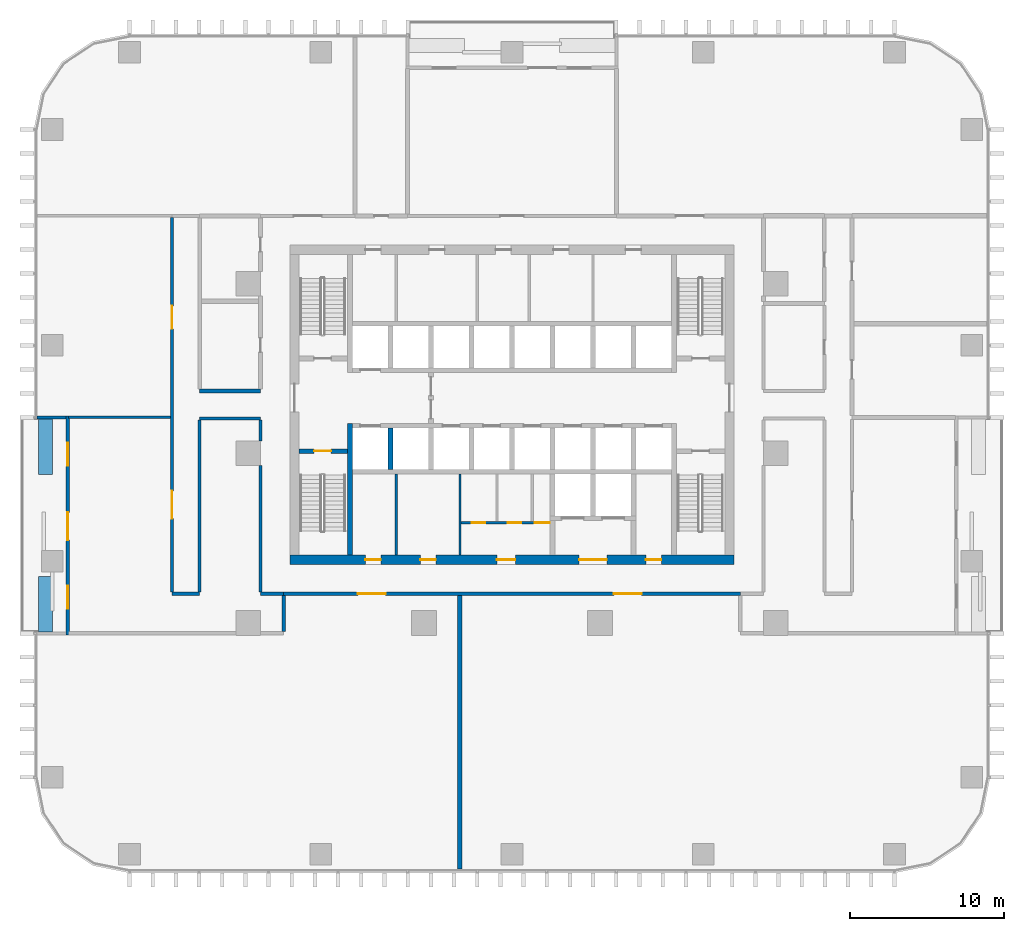
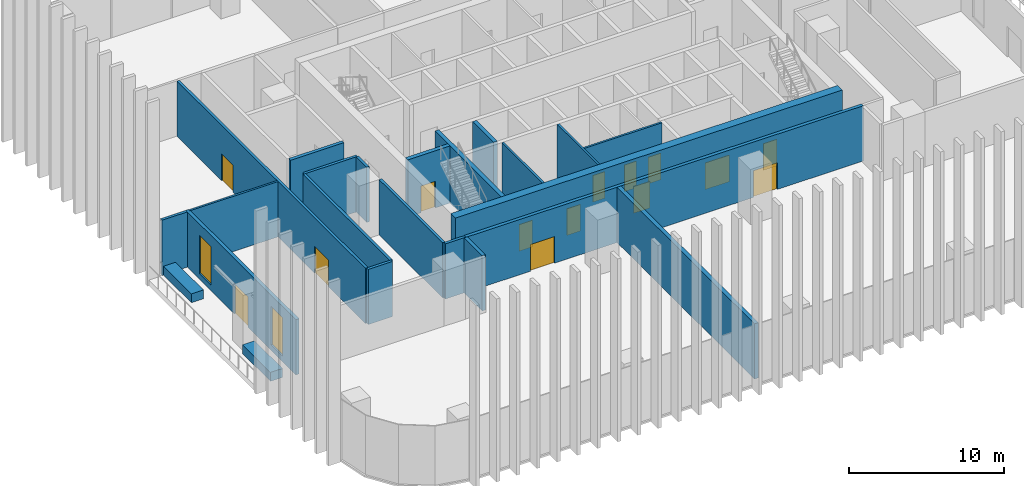
# One storey, part 7 of 17: 23 walls, 14 doors, 2 windows, 16 openings.
"""IFC4 building model written with IfcOpenShell, lengths in metres."""

import ifcopenshell
import ifcopenshell.guid

model = None  # the IFC model being written
_history = None  # IfcOwnerHistory: only IFC2X3 demands one
_inside = {}  # id of a spatial element -> (the spatial element, [elements in it])
_under = {}  # id of a project, library or spatial element -> (it, [spatial elements below it])
_declared = {}  # id of a project -> (the project, [libraries it declares])
_typed = {}  # id of a type object -> (the type object, [elements of that type])
_made_of = {}  # id of a material, layer set ... -> (it, [elements and type objects made of it])


def new_model(schema):
    """Start an empty IFC model of exactly this schema.

    Asked for "IFC4X3", IfcOpenShell would pick the latest addendum, in which some entities
    have other attributes; the version numbers below select the first issue.
    IFC2X3 requires an IfcOwnerHistory on every rooted entity: one is made here for all.
    """
    global model, _history
    if schema == "IFC4X3":
        model = ifcopenshell.file(schema_version=(4, 3, 0, 0))
    else:
        model = ifcopenshell.file(schema=schema)
    _inside.clear()
    _under.clear()
    _declared.clear()
    _typed.clear()
    _made_of.clear()
    _history = None
    if model.schema == "IFC2X3":
        org = make("IfcOrganization", Name="unknown")
        user = make(
            "IfcPersonAndOrganization",
            ThePerson=make("IfcPerson", FamilyName="unknown"),
            TheOrganization=org,
        )
        app = make(
            "IfcApplication",
            ApplicationDeveloper=org,
            Version="unknown",
            ApplicationFullName="unknown",
            ApplicationIdentifier="unknown",
        )
        _history = make(
            "IfcOwnerHistory",
            OwningUser=user,
            OwningApplication=app,
            ChangeAction="ADDED",
            CreationDate=0,
        )
    return model


def make(cls, **values):
    """One entity of the class cls with the attributes given. An attribute that is None is left unset."""
    return model.create_entity(
        cls, **{name: value for name, value in values.items() if value is not None}
    )


def rooted(cls, **values):
    """An entity with a GlobalId (a new one), such as an element, a storey or a relation."""
    return make(cls, GlobalId=ifcopenshell.guid.new(), OwnerHistory=_history, **values)


def si_unit(unit_type, name, prefix=None):
    """IfcSIUnit, for example si_unit("LENGTHUNIT", "METRE", prefix="MILLI")."""
    return make("IfcSIUnit", UnitType=unit_type, Prefix=prefix, Name=name)


def assignment(units):
    """IfcUnitAssignment: the units of a project."""
    return None if units is None else make("IfcUnitAssignment", Units=units)


def point(xyz):
    """IfcCartesianPoint."""
    return None if xyz is None else make("IfcCartesianPoint", Coordinates=xyz)


def direction(xyz):
    """IfcDirection."""
    return None if xyz is None else make("IfcDirection", DirectionRatios=xyz)


def frame(location, z_axis=None, x_axis=None):
    """IfcAxis2Placement3D, a coordinate frame: its origin and axes. An axis left out is left unset."""
    return make(
        "IfcAxis2Placement3D",
        Location=point(location),
        Axis=direction(z_axis),
        RefDirection=direction(x_axis),
    )


def frame_2d(location, x_axis=None):
    """IfcAxis2Placement2D, a coordinate frame in the plane: its origin and x axis."""
    return make(
        "IfcAxis2Placement2D", Location=point(location), RefDirection=direction(x_axis)
    )


def origin():
    """The frame at (0, 0, 0) with its axes left unset."""
    return frame((0.0, 0.0, 0.0))


def place(relative_to, where):
    """IfcLocalPlacement: puts the frame where relative to a parent placement (None: the world)."""
    return make(
        "IfcLocalPlacement", PlacementRelTo=relative_to, RelativePlacement=where
    )


def context(
    kind, dimensions, precision=None, world=None, true_north=None, identifier=None
):
    """IfcGeometricRepresentationContext, for example the 3D "Model" context."""
    return make(
        "IfcGeometricRepresentationContext",
        ContextIdentifier=identifier,
        ContextType=kind,
        CoordinateSpaceDimension=dimensions,
        Precision=precision,
        WorldCoordinateSystem=world,
        TrueNorth=true_north,
    )


def subcontext(parent, identifier, kind, view, scale=None):
    """IfcGeometricRepresentationSubContext, for example "Body" below "Model"."""
    return make(
        "IfcGeometricRepresentationSubContext",
        ContextIdentifier=identifier,
        ContextType=kind,
        ParentContext=parent,
        TargetScale=scale,
        TargetView=view,
    )


def project(units=None, contexts=None):
    """IfcProject with its units and contexts."""
    return rooted(
        "IfcProject",
        Name="project",
        RepresentationContexts=contexts,
        UnitsInContext=assignment(units),
    )


def spatial(cls, under=None, at=None, **own):
    """A site, building, storey or space (cls), placed at a placement, below another one or the project."""
    s = rooted(cls, ObjectPlacement=at, **own)
    if under is not None:
        _under.setdefault(under.id(), (under, []))[1].append(s)
    return s


def profile(cls, at=None, kind="AREA", **sizes):
    """A parametric profile (cls). Its sizes go by their IFC names, for example OverallWidth=200.0."""
    return make(cls, ProfileType=kind, Position=at, **sizes)


def rectangle(**sizes):
    """IfcRectangleProfileDef."""
    return profile("IfcRectangleProfileDef", **sizes)


def extrude(swept, where, along, depth):
    """IfcExtrudedAreaSolid: the profile swept, set in the frame where, extruded along a direction by depth."""
    return make(
        "IfcExtrudedAreaSolid",
        SweptArea=swept,
        Position=where,
        ExtrudedDirection=direction(along),
        Depth=depth,
    )


def shape(context_of_items, identifier, shape_type, items):
    """IfcShapeRepresentation: the items that make up one representation, for example the "Body"."""
    return make(
        "IfcShapeRepresentation",
        ContextOfItems=context_of_items,
        RepresentationIdentifier=identifier,
        RepresentationType=shape_type,
        Items=items,
    )


def material(Name=None, Category=None):
    """IfcMaterial."""
    return make("IfcMaterial", Name=Name, Category=Category)


def layer(
    of_material, thickness, ventilated=None, Name=None, Category=None, Priority=None
):
    """IfcMaterialLayer: one layer of a wall or slab, of a material (None: an air gap)."""
    return make(
        "IfcMaterialLayer",
        Material=of_material,
        LayerThickness=thickness,
        IsVentilated=ventilated,
        Name=Name,
        Category=Category,
        Priority=Priority,
    )


def layer_set(layers, Name=None):
    """IfcMaterialLayerSet."""
    return make("IfcMaterialLayerSet", MaterialLayers=layers, LayerSetName=Name)


def made_of(thing, what):
    """Note that an element or type object is made of a material, layer set ...; save() writes the relation."""
    if what is not None:
        _made_of.setdefault(what.id(), (what, []))[1].append(thing)
    return thing


def type_object(cls, material=None, **own):
    """A type object (cls), such as IfcWallType, which elements share."""
    return made_of(rooted(cls, **own), material)


def element(
    cls,
    number,
    at=None,
    inside=None,
    cuts=None,
    type_object=None,
    material=None,
    context=None,
    identifier="Body",
    shape_type=None,
    held_by="IfcProductDefinitionShape",
    body=None,
    shapes=None,
    **own,
):
    """One element of the class cls, such as IfcWall. Its Tag is "e" and its number.

    at: its placement. inside: the storey or other place that contains it. cuts: it is an
    opening in that element (IfcRelVoidsElement). A single representation is given by context,
    identifier, shape_type and body (its items); several are given by shapes. held_by: the class
    of the entity that holds the representations. save() writes the other relations.
    """
    e = rooted(cls, Tag="e%d" % number, ObjectPlacement=at, **own)
    if body is not None:
        shapes = [shape(context, identifier, shape_type, body)]
    if shapes is not None:
        e.Representation = make(held_by, Representations=shapes)
    if inside is not None:
        _inside.setdefault(inside.id(), (inside, []))[1].append(e)
    if cuts is not None:
        rooted(
            "IfcRelVoidsElement", RelatingBuildingElement=cuts, RelatedOpeningElement=e
        )
    if type_object is not None:
        _typed.setdefault(type_object.id(), (type_object, []))[1].append(e)
    return made_of(e, material)


def fill(opening, filler):
    """IfcRelFillsElement: the door or window that sits in an opening."""
    return rooted(
        "IfcRelFillsElement",
        RelatingOpeningElement=opening,
        RelatedBuildingElement=filler,
    )


def aggregate(whole, parts):
    """IfcRelAggregates: a whole, such as a stair, and the parts it consists of."""
    return rooted("IfcRelAggregates", RelatingObject=whole, RelatedObjects=parts)


def save(model, path):
    """Write the relations noted so far, then the file.

    IfcRelAggregates (storeys below a building ...), IfcRelContainedInSpatialStructure (elements
    in a storey), IfcRelDefinesByType, IfcRelAssociatesMaterial and IfcRelDeclares: one each for
    every whole, place, type object, material and project.
    """
    for whole, parts in _under.values():
        aggregate(whole, parts)
    for where, things in _inside.values():
        rooted(
            "IfcRelContainedInSpatialStructure",
            RelatedElements=things,
            RelatingStructure=where,
        )
    for kind, things in _typed.values():
        rooted("IfcRelDefinesByType", RelatedObjects=things, RelatingType=kind)
    for what, things in _made_of.values():
        rooted("IfcRelAssociatesMaterial", RelatedObjects=things, RelatingMaterial=what)
    for by, libraries in _declared.values():
        rooted("IfcRelDeclares", RelatingContext=by, RelatedDefinitions=libraries)
    model.write(path)


model = new_model("IFC4")

# Units and contexts
model_context = context("Model", 3, precision=1e-05, world=origin(), true_north=direction((0.0, 1.0)))
body_context = subcontext(model_context, "Body", "Model", "MODEL_VIEW")
ifc_project = project(units=[si_unit("LENGTHUNIT", "METRE"), si_unit("AREAUNIT", "SQUARE_METRE"), si_unit("VOLUMEUNIT", "CUBIC_METRE"), si_unit("PLANEANGLEUNIT", "RADIAN"), si_unit("MASSUNIT", "GRAM", prefix="KILO")], contexts=[model_context])

# Site, building, storey
site_placement = place(None, origin())
site = spatial("IfcSite", under=ifc_project, at=site_placement, CompositionType="ELEMENT")
building_placement = place(site_placement, origin())
building = spatial("IfcBuilding", under=site, at=building_placement, Name="Mopane Tessera Tower", CompositionType="ELEMENT")
storey_placement = place(building_placement, frame((0.0, 0.0, 45.39990234375)))
storey = spatial("IfcBuildingStorey", under=building, at=storey_placement, Name="L08", CompositionType="ELEMENT", Elevation=45.39990234375)

# Walls
ifc_material_1 = material(Name="Fire-rated gypsum board partition")
ifc_layer_1 = layer(ifc_material_1, 0.14990234375)
ifc_layer_set_1 = layer_set([ifc_layer_1], Name="Fire-rated gypsum board partition")
wall_type_1 = type_object("IfcWallType", Name="Core room partition 150 mm", PredefinedType="PARTITIONING", material=ifc_layer_set_1)
for number, where, z_axis, x_axis, name in (
    (1, (-7.5, -6.60009765625, 0.0), (0.0, 0.0, 1.0), (0.0, 1.0, 0.0), "L08 Room partition"),
    (2, (-3.375, -6.60009765625, 0.0), (0.0, 0.0, 1.0), (0.0, 1.0, 0.0), "L08 Room partition"),
):
    element("IfcWall", number, at=place(storey_placement, frame(where, z_axis=z_axis, x_axis=x_axis)), inside=storey, type_object=wall_type_1, Name=name, PredefinedType="PARTITIONING", context=body_context, shape_type="SweptSolid", body=[
        extrude(rectangle(XDim=5.25, YDim=0.14990234375, at=frame_2d((2.625, 0.0))), origin(), (0.0, 0.0, 1.0), 4.5),
    ])

# Wall, openings, doors
wall_1_placement = place(storey_placement, frame((-3.300048828125, -4.5, 0.0), z_axis=(0.0, 0.0, 1.0), x_axis=(1.0, 0.0, 0.0)))
wall_1 = element("IfcWall", 3, at=wall_1_placement, inside=storey, type_object=wall_type_1, Name="L08 WC partition", PredefinedType="PARTITIONING", context=body_context, shape_type="SweptSolid", body=[
    extrude(rectangle(XDim=5.775146484375, YDim=0.14990234375, at=frame_2d((2.8876953125, 0.0))), origin(), (0.0, 0.0, 1.0), 4.5),
])
opening_1_placement = place(wall_1_placement, frame((0.675048828125, 0.0, 0.0)))
opening_1 = element("IfcOpeningElement", 4, at=opening_1_placement, cuts=wall_1, Name="Opening WD1", PredefinedType="OPENING", context=body_context, shape_type="SweptSolid", body=[
    extrude(rectangle(XDim=0.89990234375, YDim=2.10009765625, at=frame_2d((0.449951171875, 1.050048828125))), frame((0.0, 0.0869140625, 0.0), z_axis=(0.0, -1.0, 0.0), x_axis=(1.0, 0.0, 0.0)), (0.0, 0.0, 1.0), 0.173828125),
])
opening_2_placement = place(wall_1_placement, frame((3.014892578125, 0.0, 0.0)))
opening_2 = element("IfcOpeningElement", 5, at=opening_2_placement, cuts=wall_1, Name="Opening WD1", PredefinedType="OPENING", context=body_context, shape_type="SweptSolid", body=[
    extrude(rectangle(XDim=0.89990234375, YDim=2.10009765625, at=frame_2d((0.449951171875, 1.050048828125))), frame((0.0, 0.0869140625, 0.0), z_axis=(0.0, -1.0, 0.0), x_axis=(1.0, 0.0, 0.0)), (0.0, 0.0, 1.0), 0.173828125),
])
opening_3_placement = place(wall_1_placement, frame((4.7900390625, 0.0, 0.0)))
opening_3 = element("IfcOpeningElement", 6, at=opening_3_placement, cuts=wall_1, Name="Opening WD2", PredefinedType="OPENING", context=body_context, shape_type="SweptSolid", body=[
    extrude(rectangle(XDim=0.949951171875, YDim=2.10009765625, at=frame_2d((0.47509765625, 1.050048828125))), frame((0.0, 0.0869140625, 0.0), z_axis=(0.0, -1.0, 0.0), x_axis=(1.0, 0.0, 0.0)), (0.0, 0.0, 1.0), 0.173828125),
])
ifc_material_2 = material(Name="Timber door", Category="wood")
door_type_1 = type_object("IfcDoorType", Name="Accessible WC door 950 x 2100", OperationType="SINGLE_SWING_LEFT", PredefinedType="DOOR", material=ifc_material_2)
door_1_placement = place(opening_3_placement, origin())
door_1 = element("IfcDoor", 7, at=door_1_placement, inside=storey, type_object=door_type_1, Name="L08 Accessible WC door", OperationType="SINGLE_SWING_LEFT", OverallHeight=2.10009765625, OverallWidth=0.949951171875, PredefinedType="DOOR", context=body_context, shape_type="SweptSolid", body=[
    extrude(rectangle(XDim=0.949951171875, YDim=2.10009765625, at=frame_2d((0.47509765625, 1.050048828125))), frame((0.0, 0.02490234375, 0.0), z_axis=(0.0, -1.0, 0.0), x_axis=(1.0, 0.0, 0.0)), (0.0, 0.0, 1.0), 0.050048828125),
])
fill(opening_3, door_1)
ifc_material_3 = material(Name="Timber door", Category="wood")
door_type_2 = type_object("IfcDoorType", Name="WC cubicle door 900 x 2100", OperationType="SINGLE_SWING_LEFT", PredefinedType="DOOR", material=ifc_material_3)
door_2_placement = place(opening_1_placement, origin())
door_2 = element("IfcDoor", 8, at=door_2_placement, inside=storey, type_object=door_type_2, Name="L08 Men's WC door", OperationType="SINGLE_SWING_LEFT", OverallHeight=2.10009765625, OverallWidth=0.89990234375, PredefinedType="DOOR", context=body_context, shape_type="SweptSolid", body=[
    extrude(rectangle(XDim=0.89990234375, YDim=2.10009765625, at=frame_2d((0.449951171875, 1.050048828125))), frame((0.0, 0.02490234375, 0.0), z_axis=(0.0, -1.0, 0.0), x_axis=(1.0, 0.0, 0.0)), (0.0, 0.0, 1.0), 0.050048828125),
])
fill(opening_1, door_2)
door_3_placement = place(opening_2_placement, origin())
door_3 = element("IfcDoor", 9, at=door_3_placement, inside=storey, type_object=door_type_2, Name="L08 Women's WC door", OperationType="SINGLE_SWING_LEFT", OverallHeight=2.10009765625, OverallWidth=0.89990234375, PredefinedType="DOOR", context=body_context, shape_type="SweptSolid", body=[
    extrude(rectangle(XDim=0.89990234375, YDim=2.10009765625, at=frame_2d((0.449951171875, 1.050048828125))), frame((0.0, 0.02490234375, 0.0), z_axis=(0.0, -1.0, 0.0), x_axis=(1.0, 0.0, 0.0)), (0.0, 0.0, 1.0), 0.050048828125),
])
fill(opening_2, door_3)

ifc_material_4 = material(Name="Concrete C70/85", Category="concrete")
ifc_layer_2 = layer(ifc_material_4, 0.60009765625)
ifc_layer_set_2 = layer_set([ifc_layer_2], Name="Concrete C70/85")
wall_type_2 = type_object("IfcWallType", Name="Core shear wall 600 mm", PredefinedType="SHEAR", material=ifc_layer_set_2)
wall_2_placement = place(storey_placement, frame((-14.39990234375, -6.89990234375, 0.0), z_axis=(0.0, 0.0, 1.0), x_axis=(1.0, 0.0, 0.0)))
wall_2 = element("IfcWall", 10, at=wall_2_placement, inside=storey, type_object=wall_type_2, Name="L08 Core wall south", PredefinedType="SHEAR", context=body_context, shape_type="SweptSolid", body=[
    extrude(rectangle(XDim=28.7998046875, YDim=0.60009765625, at=frame_2d((14.39990234375, 0.0))), origin(), (0.0, 0.0, 1.0), 4.5),
])
opening_4_placement = place(wall_2_placement, frame((4.89990234375, 0.0, 0.0)))
opening_4 = element("IfcOpeningElement", 11, at=opening_4_placement, cuts=wall_2, Name="Opening RD1", PredefinedType="OPENING", context=body_context, shape_type="SweptSolid", body=[
    extrude(rectangle(XDim=1.0, YDim=2.10009765625, at=frame_2d((0.5, 1.050048828125))), frame((0.0, 0.31201171875, 0.0), z_axis=(0.0, -1.0, 0.0), x_axis=(1.0, 0.0, 0.0)), (0.0, 0.0, 1.0), 0.6240234375),
])
opening_5_placement = place(wall_2_placement, frame((8.46240234375, 0.0, 0.0)))
opening_5 = element("IfcOpeningElement", 12, at=opening_5_placement, cuts=wall_2, Name="Opening RD1", PredefinedType="OPENING", context=body_context, shape_type="SweptSolid", body=[
    extrude(rectangle(XDim=1.0, YDim=2.10009765625, at=frame_2d((0.5, 1.050048828125))), frame((0.0, 0.31201171875, 0.0), z_axis=(0.0, -1.0, 0.0), x_axis=(1.0, 0.0, 0.0)), (0.0, 0.0, 1.0), 0.6240234375),
])
opening_6_placement = place(wall_2_placement, frame((13.425048828125, 0.0, 0.0)))
opening_6 = element("IfcOpeningElement", 13, at=opening_6_placement, cuts=wall_2, Name="Opening WD3", PredefinedType="OPENING", context=body_context, shape_type="SweptSolid", body=[
    extrude(rectangle(XDim=1.199951171875, YDim=2.10009765625, at=frame_2d((0.60009765625, 1.050048828125))), frame((0.0, 0.31201171875, 0.0), z_axis=(0.0, -1.0, 0.0), x_axis=(1.0, 0.0, 0.0)), (0.0, 0.0, 1.0), 0.6240234375),
])
opening_7_placement = place(wall_2_placement, frame((18.75, 0.0, 0.0)))
opening_7 = element("IfcOpeningElement", 14, at=opening_7_placement, cuts=wall_2, Name="Opening SD2", PredefinedType="OPENING", context=body_context, shape_type="SweptSolid", body=[
    extrude(rectangle(XDim=1.800048828125, YDim=2.10009765625, at=frame_2d((0.89990234375, 1.050048828125))), frame((0.0, 0.31201171875, 0.0), z_axis=(0.0, -1.0, 0.0), x_axis=(1.0, 0.0, 0.0)), (0.0, 0.0, 1.0), 0.6240234375),
])
opening_8_placement = place(wall_2_placement, frame((23.08740234375, 0.0, 0.0)))
opening_8 = element("IfcOpeningElement", 15, at=opening_8_placement, cuts=wall_2, Name="Opening RD1", PredefinedType="OPENING", context=body_context, shape_type="SweptSolid", body=[
    extrude(rectangle(XDim=1.0, YDim=2.10009765625, at=frame_2d((0.5, 1.050048828125))), frame((0.0, 0.31201171875, 0.0), z_axis=(0.0, -1.0, 0.0), x_axis=(1.0, 0.0, 0.0)), (0.0, 0.0, 1.0), 0.6240234375),
])
ifc_material_5 = material(Name="Steel fire door", Category="steel")
door_type_3 = type_object("IfcDoorType", Name="Core entrance double door 1800 x 2100", OperationType="DOUBLE_DOOR_SINGLE_SWING", PredefinedType="DOOR", material=ifc_material_5)
door_4_placement = place(opening_7_placement, origin())
door_4 = element("IfcDoor", 16, at=door_4_placement, inside=storey, type_object=door_type_3, Name="L08 Service lobby door", OperationType="DOUBLE_DOOR_SINGLE_SWING", OverallHeight=2.10009765625, OverallWidth=1.800048828125, PredefinedType="DOOR", context=body_context, shape_type="SweptSolid", body=[
    extrude(rectangle(XDim=1.800048828125, YDim=2.10009765625, at=frame_2d((0.89990234375, 1.050048828125))), frame((0.0, 0.02490234375, 0.0), z_axis=(0.0, -1.0, 0.0), x_axis=(1.0, 0.0, 0.0)), (0.0, 0.0, 1.0), 0.050048828125),
])
fill(opening_7, door_4)
ifc_material_6 = material(Name="Timber door", Category="wood")
door_type_4 = type_object("IfcDoorType", Name="Core room door 1000 x 2100", OperationType="SINGLE_SWING_LEFT", PredefinedType="DOOR", material=ifc_material_6)
door_5_placement = place(opening_4_placement, origin())
door_5 = element("IfcDoor", 17, at=door_5_placement, inside=storey, type_object=door_type_4, Name="L08 Room door", OperationType="SINGLE_SWING_LEFT", OverallHeight=2.10009765625, OverallWidth=1.0, PredefinedType="DOOR", context=body_context, shape_type="SweptSolid", body=[
    extrude(rectangle(XDim=1.0, YDim=2.10009765625, at=frame_2d((0.5, 1.050048828125))), frame((0.0, 0.02490234375, 0.0), z_axis=(0.0, -1.0, 0.0), x_axis=(1.0, 0.0, 0.0)), (0.0, 0.0, 1.0), 0.050048828125),
])
fill(opening_4, door_5)
door_6_placement = place(opening_5_placement, origin())
door_6 = element("IfcDoor", 18, at=door_6_placement, inside=storey, type_object=door_type_4, Name="L08 Room door", OperationType="SINGLE_SWING_LEFT", OverallHeight=2.10009765625, OverallWidth=1.0, PredefinedType="DOOR", context=body_context, shape_type="SweptSolid", body=[
    extrude(rectangle(XDim=1.0, YDim=2.10009765625, at=frame_2d((0.5, 1.050048828125))), frame((0.0, 0.02490234375, 0.0), z_axis=(0.0, -1.0, 0.0), x_axis=(1.0, 0.0, 0.0)), (0.0, 0.0, 1.0), 0.050048828125),
])
fill(opening_5, door_6)
door_7_placement = place(opening_8_placement, origin())
door_7 = element("IfcDoor", 19, at=door_7_placement, inside=storey, type_object=door_type_4, Name="L08 Room door", OperationType="SINGLE_SWING_LEFT", OverallHeight=2.10009765625, OverallWidth=1.0, PredefinedType="DOOR", context=body_context, shape_type="SweptSolid", body=[
    extrude(rectangle(XDim=1.0, YDim=2.10009765625, at=frame_2d((0.5, 1.050048828125))), frame((0.0, 0.02490234375, 0.0), z_axis=(0.0, -1.0, 0.0), x_axis=(1.0, 0.0, 0.0)), (0.0, 0.0, 1.0), 0.050048828125),
])
fill(opening_8, door_7)
ifc_material_7 = material(Name="Timber door", Category="wood")
door_type_5 = type_object("IfcDoorType", Name="WC lobby door 1200 x 2100", OperationType="SINGLE_SWING_LEFT", PredefinedType="DOOR", material=ifc_material_7)
door_8_placement = place(opening_6_placement, origin())
door_8 = element("IfcDoor", 20, at=door_8_placement, inside=storey, type_object=door_type_5, Name="L08 WC lobby door", OperationType="SINGLE_SWING_LEFT", OverallHeight=2.10009765625, OverallWidth=1.199951171875, PredefinedType="DOOR", context=body_context, shape_type="SweptSolid", body=[
    extrude(rectangle(XDim=1.199951171875, YDim=2.10009765625, at=frame_2d((0.60009765625, 1.050048828125))), frame((0.0, 0.02490234375, 0.0), z_axis=(0.0, -1.0, 0.0), x_axis=(1.0, 0.0, 0.0)), (0.0, 0.0, 1.0), 0.050048828125),
])
fill(opening_6, door_8)

# Walls
ifc_material_8 = material(Name="Concrete C60/75", Category="concrete")
ifc_layer_3 = layer(ifc_material_8, 0.300048828125)
ifc_layer_set_3 = layer_set([ifc_layer_3], Name="Concrete C60/75")
wall_type_3 = type_object("IfcWallType", Name="Core spine wall 300 mm", PredefinedType="SHEAR", material=ifc_layer_set_3)
wall_3_placement = place(storey_placement, frame((-10.5, -6.60009765625, 0.0), z_axis=(0.0, 0.0, 1.0), x_axis=(0.0, 1.0, 0.0)))
element("IfcWall", 21, at=wall_3_placement, inside=storey, type_object=wall_type_3, Name="L08 Core spine wall", PredefinedType="SHEAR", context=body_context, shape_type="SweptSolid", body=[
    extrude(rectangle(XDim=8.550048828125, YDim=0.300048828125, at=frame_2d((4.27490234375, 0.0))), origin(), (0.0, 0.0, 1.0), 4.5),
])
ifc_material_9 = material(Name="Gypsum board on steel studs, two layers each face, mineral wool infill", Category="steel")
ifc_layer_4 = layer(ifc_material_9, 0.199951171875)
ifc_layer_set_4 = layer_set([ifc_layer_4], Name="Gypsum board on steel studs, two layers each face, mineral wool infill")
wall_type_4 = type_object("IfcWallType", Name="Gypsum board corridor wall 200, rated EI 60", PredefinedType="PARTITIONING", material=ifc_layer_set_4)
wall_4_placement = place(storey_placement, frame((-22.050048828125, -9.10009765625, 0.0), z_axis=(0.0, 0.0, 1.0), x_axis=(1.0, 0.0, 0.0)))
element("IfcWall", 22, at=wall_4_placement, inside=storey, type_object=wall_type_4, Name="Partition L08:004", PredefinedType="PARTITIONING", context=body_context, shape_type="SweptSolid", body=[
    extrude(rectangle(XDim=1.800048828125, YDim=0.199951171875, at=frame_2d((0.89990234375, 0.0))), origin(), (0.0, 0.0, 1.0), 4.35009765625),
])
wall_5_placement = place(storey_placement, frame((-16.300048828125, -9.10009765625, 0.0), z_axis=(0.0, 0.0, 1.0), x_axis=(1.0, 0.0, 0.0)))
element("IfcWall", 23, at=wall_5_placement, inside=storey, type_object=wall_type_4, Name="Partition L08:005", PredefinedType="PARTITIONING", context=body_context, shape_type="SweptSolid", body=[
    extrude(rectangle(XDim=1.5, YDim=0.199951171875, at=frame_2d((0.75, 0.0))), origin(), (0.0, 0.0, 1.0), 4.35009765625),
])
wall_6_placement = place(storey_placement, frame((-20.25, 2.25, 0.0), z_axis=(0.0, 0.0, 1.0), x_axis=(1.0, 0.0, 0.0)))
element("IfcWall", 24, at=wall_6_placement, inside=storey, type_object=wall_type_4, Name="Partition L08:009", PredefinedType="PARTITIONING", context=body_context, shape_type="SweptSolid", body=[
    extrude(rectangle(XDim=3.949951171875, YDim=0.199951171875, at=frame_2d((1.97509765625, 0.0))), origin(), (0.0, 0.0, 1.0), 4.35009765625),
])

# Wall, openings, doors
wall_7_placement = place(storey_placement, frame((-22.050048828125, -9.0, 0.0), z_axis=(0.0, 0.0, 1.0), x_axis=(0.0, 1.0, 0.0)))
wall_7 = element("IfcWall", 25, at=wall_7_placement, inside=storey, type_object=wall_type_4, Name="Partition L08:028", PredefinedType="PARTITIONING", context=body_context, shape_type="SweptSolid", body=[
    extrude(rectangle(XDim=24.300048828125, YDim=0.199951171875, at=frame_2d((12.14990234375, 0.0))), origin(), (0.0, 0.0, 1.0), 4.35009765625),
])
opening_9_placement = place(wall_7_placement, frame((17.0673828125, 0.0, 0.0)))
opening_9 = element("IfcOpeningElement", 26, at=opening_9_placement, cuts=wall_7, Name="Opening L08-04", PredefinedType="OPENING", context=body_context, shape_type="SweptSolid", body=[
    extrude(rectangle(XDim=1.5, YDim=2.10009765625, at=frame_2d((0.75, 1.050048828125))), frame((0.0, 0.112060546875, 0.0), z_axis=(0.0, -1.0, 0.0), x_axis=(1.0, 0.0, 0.0)), (0.0, 0.0, 1.0), 0.223876953125),
])
opening_10_placement = place(wall_7_placement, frame((4.767578125, 0.0, 0.0)))
opening_10 = element("IfcOpeningElement", 27, at=opening_10_placement, cuts=wall_7, Name="Opening L08-13", PredefinedType="OPENING", context=body_context, shape_type="SweptSolid", body=[
    extrude(rectangle(XDim=1.800048828125, YDim=2.10009765625, at=frame_2d((0.89990234375, 1.050048828125))), frame((0.0, 0.112060546875, 0.0), z_axis=(0.0, -1.0, 0.0), x_axis=(1.0, 0.0, 0.0)), (0.0, 0.0, 1.0), 0.223876953125),
])
ifc_material_10 = material(Name="Timber veneered steel-framed fire door", Category="steel")
door_type_6 = type_object("IfcDoorType", Name="Fire door pair FD60 1500 x 2100", OperationType="DOUBLE_DOOR_SINGLE_SWING", PredefinedType="DOOR", material=ifc_material_10)
door_9_placement = place(opening_9_placement, origin())
door_9 = element("IfcDoor", 28, at=door_9_placement, inside=storey, type_object=door_type_6, Name="Door L08-04", ObjectType="D17A", OperationType="DOUBLE_DOOR_SINGLE_SWING", OverallHeight=2.10009765625, OverallWidth=1.5, PredefinedType="DOOR", context=body_context, shape_type="SweptSolid", body=[
    extrude(rectangle(XDim=1.5, YDim=2.10009765625, at=frame_2d((0.75, 1.050048828125))), frame((0.0, 0.02490234375, 0.0), z_axis=(0.0, -1.0, 0.0), x_axis=(1.0, 0.0, 0.0)), (0.0, 0.0, 1.0), 0.050048828125),
])
fill(opening_9, door_9)
ifc_material_11 = material(Name="Timber veneered steel-framed fire door", Category="steel")
door_type_7 = type_object("IfcDoorType", Name="Fire door pair FD60 1800 x 2100", OperationType="DOUBLE_DOOR_SINGLE_SWING", PredefinedType="DOOR", material=ifc_material_11)
door_10_placement = place(opening_10_placement, origin())
door_10 = element("IfcDoor", 29, at=door_10_placement, inside=storey, type_object=door_type_7, Name="Door L08-13", ObjectType="D20A", OperationType="DOUBLE_DOOR_SINGLE_SWING", OverallHeight=2.10009765625, OverallWidth=1.800048828125, PredefinedType="DOOR", context=body_context, shape_type="SweptSolid", body=[
    extrude(rectangle(XDim=1.800048828125, YDim=2.10009765625, at=frame_2d((0.89990234375, 1.050048828125))), frame((0.0, 0.02490234375, 0.0), z_axis=(0.0, -1.0, 0.0), x_axis=(1.0, 0.0, 0.0)), (0.0, 0.0, 1.0), 0.050048828125),
])
fill(opening_10, door_10)

# Walls
wall_8_placement = place(storey_placement, frame((-20.25, -9.0, 0.0), z_axis=(0.0, 0.0, 1.0), x_axis=(0.0, 1.0, 0.0)))
element("IfcWall", 30, at=wall_8_placement, inside=storey, type_object=wall_type_4, Name="Partition L08:029", PredefinedType="PARTITIONING", context=body_context, shape_type="SweptSolid", body=[
    extrude(rectangle(XDim=11.14990234375, YDim=0.199951171875, at=frame_2d((5.574951171875, 0.0))), origin(), (0.0, 0.0, 1.0), 4.35009765625),
])
wall_9_placement = place(storey_placement, frame((-16.300048828125, -9.0, 0.0), z_axis=(0.0, 0.0, 1.0), x_axis=(0.0, 1.0, 0.0)))
element("IfcWall", 31, at=wall_9_placement, inside=storey, type_object=wall_type_4, Name="Partition L08:031", PredefinedType="PARTITIONING", context=body_context, shape_type="SweptSolid", body=[
    extrude(rectangle(XDim=8.199951171875, YDim=0.199951171875, at=frame_2d((4.10009765625, 0.0))), origin(), (0.0, 0.0, 1.0), 4.35009765625),
])
wall_10_placement = place(storey_placement, frame((-16.300048828125, 0.800048828125, 0.0), z_axis=(0.0, 0.0, 1.0), x_axis=(0.0, 1.0, 0.0)))
element("IfcWall", 32, at=wall_10_placement, inside=storey, type_object=wall_type_4, Name="Partition L08:032", PredefinedType="PARTITIONING", context=body_context, shape_type="SweptSolid", body=[
    extrude(rectangle(XDim=1.349853515625, YDim=0.199951171875, at=frame_2d((0.6748046875, 0.0))), origin(), (0.0, 0.0, 1.0), 4.35009765625),
])
ifc_material_12 = material(Name="Gypsum board on steel studs, mineral wool infill", Category="steel")
ifc_layer_5 = layer(ifc_material_12, 0.14990234375)
ifc_layer_set_5 = layer_set([ifc_layer_5], Name="Gypsum board on steel studs, mineral wool infill")
wall_type_5 = type_object("IfcWallType", Name="Gypsum board partition 150, rated EI 60", PredefinedType="PARTITIONING", material=ifc_layer_set_5)
wall_11_placement = place(storey_placement, frame((-28.75, 2.3349609375, 0.0), z_axis=(0.0, 0.0, 1.0), x_axis=(1.0, 0.0, 0.0)))
element("IfcWall", 33, at=wall_11_placement, inside=storey, type_object=wall_type_5, Name="Partition L08:011", PredefinedType="PARTITIONING", context=body_context, shape_type="SweptSolid", body=[
    extrude(rectangle(XDim=6.60009765625, YDim=0.14990234375, at=frame_2d((3.300048828125, 0.0))), origin(), (0.0, 0.0, 1.0), 4.35009765625),
])

# Wall, opening, door
ifc_material_13 = material(Name="Concrete C50/60", Category="concrete")
ifc_layer_6 = layer(ifc_material_13, 0.300048828125)
ifc_layer_set_6 = layer_set([ifc_layer_6], Name="Concrete C50/60")
wall_type_6 = type_object("IfcWallType", Name="Lift and stair shaft wall 300 mm", PredefinedType="SOLIDWALL", material=ifc_layer_set_6)
wall_12_placement = place(storey_placement, frame((-13.800048828125, 0.14990234375, 0.0), z_axis=(0.0, 0.0, 1.0), x_axis=(1.0, 0.0, 0.0)))
wall_12 = element("IfcWall", 34, at=wall_12_placement, inside=storey, type_object=wall_type_6, Name="L08 Stair enclosure wall", PredefinedType="SOLIDWALL", context=body_context, shape_type="SweptSolid", body=[
    extrude(rectangle(XDim=3.150146484375, YDim=0.300048828125, at=frame_2d((1.5751953125, 0.0))), origin(), (0.0, 0.0, 1.0), 4.5),
])
opening_11_placement = place(wall_12_placement, frame((0.97509765625, 0.0, 0.0)))
opening_11 = element("IfcOpeningElement", 35, at=opening_11_placement, cuts=wall_12, Name="Opening SD1", PredefinedType="OPENING", context=body_context, shape_type="SweptSolid", body=[
    extrude(rectangle(XDim=1.10009765625, YDim=2.10009765625, at=frame_2d((0.550048828125, 1.050048828125))), frame((0.0, 0.162109375, 0.0), z_axis=(0.0, -1.0, 0.0), x_axis=(1.0, 0.0, 0.0)), (0.0, 0.0, 1.0), 0.323974609375),
])
ifc_material_14 = material(Name="Steel fire door", Category="steel")
door_type_8 = type_object("IfcDoorType", Name="Stair fire door 1100 x 2100", OperationType="SINGLE_SWING_LEFT", PredefinedType="DOOR", material=ifc_material_14)
door_11_placement = place(opening_11_placement, origin())
door_11 = element("IfcDoor", 36, at=door_11_placement, inside=storey, type_object=door_type_8, Name="L08 Stair door ST1", OperationType="SINGLE_SWING_LEFT", OverallHeight=2.10009765625, OverallWidth=1.10009765625, PredefinedType="DOOR", context=body_context, shape_type="SweptSolid", body=[
    extrude(rectangle(XDim=1.10009765625, YDim=2.10009765625, at=frame_2d((0.550048828125, 1.050048828125))), frame((0.0, 0.02490234375, 0.0), z_axis=(0.0, -1.0, 0.0), x_axis=(1.0, 0.0, 0.0)), (0.0, 0.0, 1.0), 0.050048828125),
])
fill(opening_11, door_11)

# Walls
wall_13_placement = place(storey_placement, frame((-7.875, -1.050048828125, 0.0), z_axis=(0.0, 0.0, 1.0), x_axis=(0.0, 1.0, 0.0)))
element("IfcWall", 37, at=wall_13_placement, inside=storey, type_object=wall_type_6, Name="L08 Lift shaft wall", PredefinedType="SOLIDWALL", context=body_context, shape_type="SweptSolid", body=[
    extrude(rectangle(XDim=2.699951171875, YDim=0.300048828125, at=frame_2d((1.35009765625, 0.0))), origin(), (0.0, 0.0, 1.0), 4.5),
])
ifc_material_15 = material(Name="Reinforced concrete C32/40 with waterproofing", Category="concrete")
ifc_layer_7 = layer(ifc_material_15, 0.89990234375)
ifc_layer_set_7 = layer_set([ifc_layer_7], Name="Reinforced concrete C32/40 with waterproofing")
wall_type_7 = type_object("IfcWallType", Name="Planter trough 3600 x 900", PredefinedType="STANDARD", material=ifc_layer_set_7)
for number, where, z_axis, x_axis, name in (
    (38, (-30.25, 2.2333984375, 0.0), (0.0, 0.0, 1.0), (0.0, -1.0, 0.0), "e:nw:L08:N3:pl0"),
    (39, (-30.25, -7.966552734375, 0.0), (0.0, 0.0, 1.0), (0.0, -1.0, 0.0), "e:nw:L08:N3:pl1"),
):
    element("IfcWall", number, at=place(storey_placement, frame(where, z_axis=z_axis, x_axis=x_axis)), inside=storey, type_object=wall_type_7, Name=name, PredefinedType="STANDARD", context=body_context, shape_type="SweptSolid", body=[
        extrude(rectangle(XDim=3.60009765625, YDim=0.89990234375, at=frame_2d((1.800048828125, 0.0))), origin(), (0.0, 0.0, 1.0), 0.7001953125),
    ])
ifc_material_16 = material(Name="Plastered concrete blockwork C20/25", Category="masonry")
ifc_layer_8 = layer(ifc_material_16, 0.300048828125)
ifc_layer_set_8 = layer_set([ifc_layer_8], Name="Plastered concrete blockwork C20/25")
wall_type_8 = type_object("IfcWallType", Name="Plastered blockwork separation wall 300, rated EI 120", PredefinedType="PARTITIONING", material=ifc_layer_set_8)
wall_14_placement = place(storey_placement, frame((-3.39501953125, -26.949951171875, 0.0), z_axis=(0.0, 0.0, 1.0), x_axis=(0.0, 1.0, 0.0)))
element("IfcWall", 40, at=wall_14_placement, inside=storey, type_object=wall_type_8, Name="Partition L08:038", PredefinedType="PARTITIONING", context=body_context, shape_type="SweptSolid", body=[
    extrude(rectangle(XDim=17.724853515625, YDim=0.300048828125, at=frame_2d((8.8623046875, 0.0))), origin(), (0.0, 0.0, 1.0), 4.35009765625),
])

# Wall, openings, doors
ifc_material_17 = material(Name="Plastered concrete blockwork C20/25", Category="masonry")
ifc_layer_9 = layer(ifc_material_17, 0.25)
ifc_layer_set_9 = layer_set([ifc_layer_9], Name="Plastered concrete blockwork C20/25")
wall_type_9 = type_object("IfcWallType", Name="Plastered blockwork wall 250, rated EI 120", PredefinedType="PARTITIONING", material=ifc_layer_set_9)
wall_15_placement = place(storey_placement, frame((-14.800048828125, -9.10009765625, 0.0), z_axis=(0.0, 0.0, 1.0), x_axis=(1.0, 0.0, 0.0)))
wall_15 = element("IfcWall", 41, at=wall_15_placement, inside=storey, type_object=wall_type_9, Name="Partition L08:008", PredefinedType="PARTITIONING", context=body_context, shape_type="SweptSolid", body=[
    extrude(rectangle(XDim=29.60009765625, YDim=0.25, at=frame_2d((14.800048828125, 0.0))), origin(), (0.0, 0.0, 1.0), 4.35009765625),
])
opening_12_placement = place(wall_15_placement, frame((4.802490234375, 0.0, 0.0)))
opening_12 = element("IfcOpeningElement", 42, at=opening_12_placement, cuts=wall_15, Name="Opening L08-05", PredefinedType="OPENING", context=body_context, shape_type="SweptSolid", body=[
    extrude(rectangle(XDim=1.800048828125, YDim=2.10009765625, at=frame_2d((0.89990234375, 1.050048828125))), frame((0.0, 0.136962890625, 0.0), z_axis=(0.0, -1.0, 0.0), x_axis=(1.0, 0.0, 0.0)), (0.0, 0.0, 1.0), 0.27392578125),
])
opening_13_placement = place(wall_15_placement, frame((21.402587890625, 0.0, 0.0)))
opening_13 = element("IfcOpeningElement", 43, at=opening_13_placement, cuts=wall_15, Name="Opening L08-07", PredefinedType="OPENING", context=body_context, shape_type="SweptSolid", body=[
    extrude(rectangle(XDim=1.800048828125, YDim=2.10009765625, at=frame_2d((0.89990234375, 1.050048828125))), frame((0.0, 0.136962890625, 0.0), z_axis=(0.0, -1.0, 0.0), x_axis=(1.0, 0.0, 0.0)), (0.0, 0.0, 1.0), 0.27392578125),
])
ifc_material_18 = material(Name="Timber veneered steel-framed fire door", Category="steel")
door_type_9 = type_object("IfcDoorType", Name="Fire door pair FD120 1800 x 2100", OperationType="DOUBLE_DOOR_SINGLE_SWING", PredefinedType="DOOR", material=ifc_material_18)
door_12_placement = place(opening_12_placement, origin())
door_12 = element("IfcDoor", 44, at=door_12_placement, inside=storey, type_object=door_type_9, Name="Door L08-05", ObjectType="D20B", OperationType="DOUBLE_DOOR_SINGLE_SWING", OverallHeight=2.10009765625, OverallWidth=1.800048828125, PredefinedType="DOOR", context=body_context, shape_type="SweptSolid", body=[
    extrude(rectangle(XDim=1.800048828125, YDim=2.10009765625, at=frame_2d((0.89990234375, 1.050048828125))), frame((0.0, 0.02490234375, 0.0), z_axis=(0.0, -1.0, 0.0), x_axis=(1.0, 0.0, 0.0)), (0.0, 0.0, 1.0), 0.050048828125),
])
fill(opening_12, door_12)
door_13_placement = place(opening_13_placement, origin())
door_13 = element("IfcDoor", 45, at=door_13_placement, inside=storey, type_object=door_type_9, Name="Door L08-07", ObjectType="D20B", OperationType="DOUBLE_DOOR_SINGLE_SWING", OverallHeight=2.10009765625, OverallWidth=1.800048828125, PredefinedType="DOOR", context=body_context, shape_type="SweptSolid", body=[
    extrude(rectangle(XDim=1.800048828125, YDim=2.10009765625, at=frame_2d((0.89990234375, 1.050048828125))), frame((0.0, 0.02490234375, 0.0), z_axis=(0.0, -1.0, 0.0), x_axis=(1.0, 0.0, 0.0)), (0.0, 0.0, 1.0), 0.050048828125),
])
fill(opening_13, door_13)

# Walls
wall_16_placement = place(storey_placement, frame((-20.25, 4.050048828125, 0.0), z_axis=(0.0, 0.0, 1.0), x_axis=(1.0, 0.0, 0.0)))
element("IfcWall", 46, at=wall_16_placement, inside=storey, type_object=wall_type_9, Name="Partition L08:014", PredefinedType="PARTITIONING", context=body_context, shape_type="SweptSolid", body=[
    extrude(rectangle(XDim=3.949951171875, YDim=0.25, at=frame_2d((1.97509765625, 0.0))), origin(), (0.0, 0.0, 1.0), 4.35009765625),
])
wall_17_placement = place(storey_placement, frame((-14.800048828125, -11.5400390625, 0.0), z_axis=(0.0, 0.0, 1.0), x_axis=(0.0, 1.0, 0.0)))
element("IfcWall", 47, at=wall_17_placement, inside=storey, type_object=wall_type_9, Name="Partition L08:035", PredefinedType="PARTITIONING", context=body_context, shape_type="SweptSolid", body=[
    extrude(rectangle(XDim=2.31494140625, YDim=0.25, at=frame_2d((1.157470703125, 0.0))), origin(), (0.0, 0.0, 1.0), 4.35009765625),
])
ifc_material_19 = material(Name="Blockwork with glazed tile facing", Category="masonry")
ifc_layer_10 = layer(ifc_material_19, 0.199951171875)
ifc_layer_set_10 = layer_set([ifc_layer_10], Name="Blockwork with glazed tile facing")
wall_type_10 = type_object("IfcWallType", Name="Terrace cheek wall 200", PredefinedType="STANDARD", material=ifc_layer_set_10)
wall_18_placement = place(storey_placement, frame((-30.800048828125, 2.333251953125, 0.0), z_axis=(0.0, 0.0, 1.0), x_axis=(1.0, 0.0, 0.0)))
element("IfcWall", 48, at=wall_18_placement, inside=storey, type_object=wall_type_10, Name="e:nw:L08:N3:cheeka", PredefinedType="STANDARD", context=body_context, shape_type="SweptSolid", body=[
    extrude(rectangle(XDim=1.875, YDim=0.199951171875, at=frame_2d((0.9375, 0.0))), origin(), (0.0, 0.0, 1.0), 4.35009765625),
])

# Wall, openings, windows, door
ifc_material_20 = material(Name="Blockwork with ultramarine glazed tile facing", Category="masonry")
ifc_layer_11 = layer(ifc_material_20, 0.25)
ifc_layer_set_11 = layer_set([ifc_layer_11], Name="Blockwork with ultramarine glazed tile facing")
wall_type_11 = type_object("IfcWallType", Name="Tile-clad external wall 250, ultramarine", PredefinedType="STANDARD", material=ifc_layer_set_11)
wall_19_placement = place(storey_placement, frame((-28.800048828125, 2.433349609375, 0.0), z_axis=(0.0, 0.0, 1.0), x_axis=(0.0, -1.0, 0.0)))
wall_19 = element("IfcWall", 49, at=wall_19_placement, inside=storey, type_object=wall_type_11, Name="e:nw:L08:N3:back", PredefinedType="STANDARD", context=body_context, shape_type="SweptSolid", body=[
    extrude(rectangle(XDim=14.199951171875, YDim=0.25, at=frame_2d((7.10009765625, 0.0))), origin(), (0.0, 0.0, 1.0), 4.35009765625),
])
opening_14_placement = place(wall_19_placement, frame((1.75, 0.0, 0.449951171875)))
opening_14 = element("IfcOpeningElement", 50, at=opening_14_placement, cuts=wall_19, Name="Opening NW083A", PredefinedType="OPENING", context=body_context, shape_type="SweptSolid", body=[
    extrude(rectangle(XDim=1.5, YDim=3.0, at=frame_2d((0.75, 1.5))), frame((0.0, 0.136962890625, 0.0), z_axis=(0.0, -1.0, 0.0), x_axis=(1.0, 0.0, 0.0)), (0.0, 0.0, 1.0), 0.27392578125),
])
opening_15_placement = place(wall_19_placement, frame((6.25, 0.0, 0.0)))
opening_15 = element("IfcOpeningElement", 51, at=opening_15_placement, cuts=wall_19, Name="Opening ND083", PredefinedType="OPENING", context=body_context, shape_type="SweptSolid", body=[
    extrude(rectangle(XDim=1.800048828125, YDim=2.39990234375, at=frame_2d((0.89990234375, 1.199951171875))), frame((0.0, 0.136962890625, 0.0), z_axis=(0.0, -1.0, 0.0), x_axis=(1.0, 0.0, 0.0)), (0.0, 0.0, 1.0), 0.27392578125),
])
opening_16_placement = place(wall_19_placement, frame((11.0, 0.0, 0.449951171875)))
opening_16 = element("IfcOpeningElement", 52, at=opening_16_placement, cuts=wall_19, Name="Opening NW083B", PredefinedType="OPENING", context=body_context, shape_type="SweptSolid", body=[
    extrude(rectangle(XDim=1.5, YDim=3.0, at=frame_2d((0.75, 1.5))), frame((0.0, 0.136962890625, 0.0), z_axis=(0.0, -1.0, 0.0), x_axis=(1.0, 0.0, 0.0)), (0.0, 0.0, 1.0), 0.27392578125),
])
ifc_material_21 = material(Name="Clear laminated glass", Category="glass")
window_type = type_object("IfcWindowType", Name="Fixed window 1500 x 3000", PartitioningType="SINGLE_PANEL", PredefinedType="WINDOW", material=ifc_material_21)
window_1_placement = place(opening_14_placement, origin())
window_1 = element("IfcWindow", 53, at=window_1_placement, inside=storey, type_object=window_type, Name="e:nw:L08:N3:win0", OverallHeight=3.0, OverallWidth=1.5, PartitioningType="SINGLE_PANEL", PredefinedType="WINDOW", context=body_context, shape_type="SweptSolid", body=[
    extrude(rectangle(XDim=1.5, YDim=3.0, at=frame_2d((0.75, 1.5))), frame((0.0, 0.030029296875, 0.0), z_axis=(0.0, -1.0, 0.0), x_axis=(1.0, 0.0, 0.0)), (0.0, 0.0, 1.0), 0.06005859375),
])
fill(opening_14, window_1)
window_2_placement = place(opening_16_placement, origin())
window_2 = element("IfcWindow", 54, at=window_2_placement, inside=storey, type_object=window_type, Name="e:nw:L08:N3:win2", OverallHeight=3.0, OverallWidth=1.5, PartitioningType="SINGLE_PANEL", PredefinedType="WINDOW", context=body_context, shape_type="SweptSolid", body=[
    extrude(rectangle(XDim=1.5, YDim=3.0, at=frame_2d((0.75, 1.5))), frame((0.0, 0.030029296875, 0.0), z_axis=(0.0, -1.0, 0.0), x_axis=(1.0, 0.0, 0.0)), (0.0, 0.0, 1.0), 0.06005859375),
])
fill(opening_16, window_2)
ifc_material_22 = material(Name="Aluminium and clear glass", Category="aluminium")
door_type_10 = type_object("IfcDoorType", Name="Terrace double door 1800 x 2400", OperationType="DOUBLE_DOOR_SINGLE_SWING", PredefinedType="DOOR", material=ifc_material_22)
door_14_placement = place(opening_15_placement, origin())
door_14 = element("IfcDoor", 55, at=door_14_placement, inside=storey, type_object=door_type_10, Name="e:nw:L08:N3:door", ObjectType="D1", OperationType="DOUBLE_DOOR_SINGLE_SWING", OverallHeight=2.39990234375, OverallWidth=1.800048828125, PredefinedType="DOOR", context=body_context, shape_type="SweptSolid", body=[
    extrude(rectangle(XDim=1.800048828125, YDim=2.39990234375, at=frame_2d((0.89990234375, 1.199951171875))), frame((0.0, 0.02490234375, 0.0), z_axis=(0.0, -1.0, 0.0), x_axis=(1.0, 0.0, 0.0)), (0.0, 0.0, 1.0), 0.050048828125),
])
fill(opening_15, door_14)

save(model, "model.ifc")
